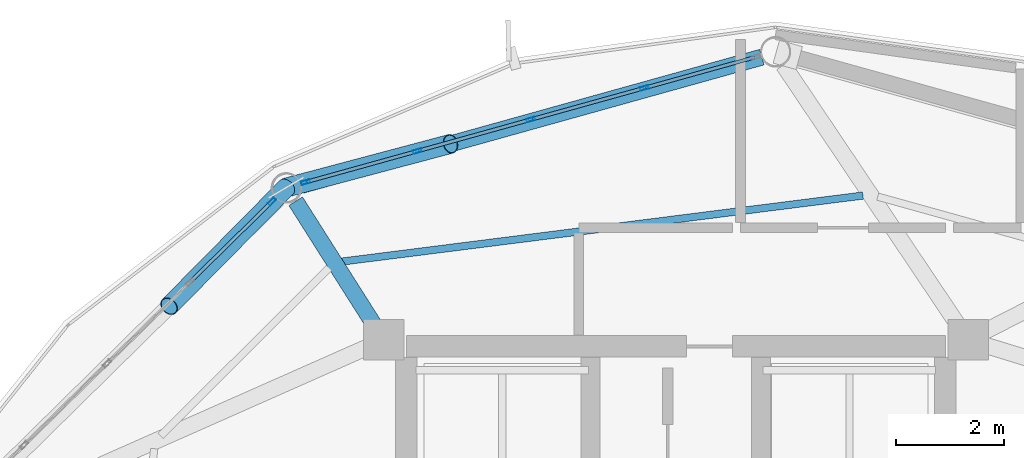
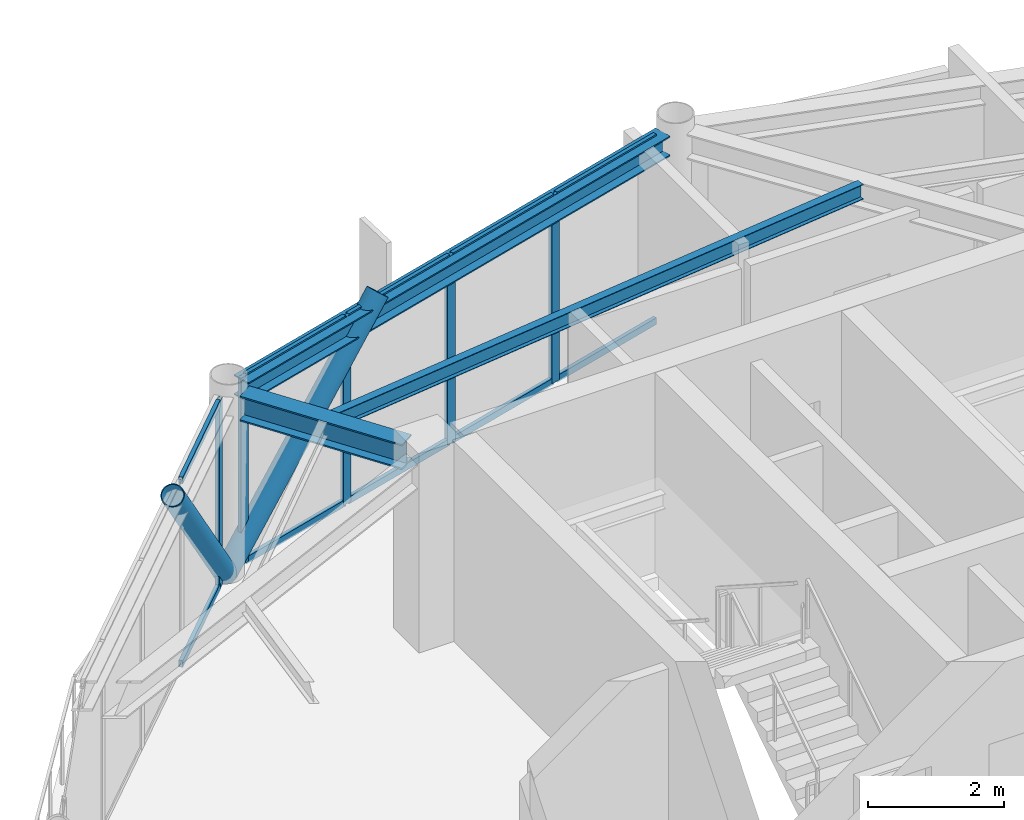
# One storey, part 17 of 25: 17 members, 3 beams, 2 elements without a shape of their own.
"""IFC4 building model written with IfcOpenShell, lengths in metres."""

from ifc_helpers import new_model, si_unit, direction, frame, origin, origin_2d, place, context, subcontext, project, spatial, hollow_rectangle, hollow_circle, i_section, extrude, material, layer, layer_set, material_profile, profile_set, type_object, element, aggregate, save


model = new_model("IFC4")

# Units and contexts
model_context = context("Model", 3, precision=1e-05, world=origin(), true_north=direction((0.0, 1.0)))
body_context = subcontext(model_context, "Body", "Model", "MODEL_VIEW")
ifc_project = project(units=[si_unit("LENGTHUNIT", "METRE"), si_unit("AREAUNIT", "SQUARE_METRE"), si_unit("VOLUMEUNIT", "CUBIC_METRE"), si_unit("PLANEANGLEUNIT", "RADIAN"), si_unit("MASSUNIT", "GRAM", prefix="KILO")], contexts=[model_context])

# Site, building, storey
site_placement = place(None, origin())
site = spatial("IfcSite", under=ifc_project, at=site_placement, CompositionType="ELEMENT")
building_placement = place(site_placement, origin())
building = spatial("IfcBuilding", under=site, at=building_placement, Name="Varnakorn Sky Granary", CompositionType="ELEMENT")
storey_placement = place(building_placement, frame((0.0, 0.0, 259.800048828125)))
storey = spatial("IfcBuildingStorey", under=building, at=storey_placement, Name="L66", CompositionType="ELEMENT", Elevation=259.800048828125)

# Beams
ifc_material_1 = material(Name="Steel S355JR", Category="steel")
ifc_material_profile_1 = material_profile(ifc_material_1, i_section(OverallWidth=0.300048828125, OverallDepth=0.449951171875, WebThickness=0.013916015625, FlangeThickness=0.02587890625, at=origin_2d()), Name="HE 450 B")
ifc_profile_set_1 = profile_set([ifc_material_profile_1], Name="Steel S355JR")
beam_type_1 = type_object("IfcBeamType", Name="BM-RAD-Z5", PredefinedType="BEAM", material=ifc_profile_set_1)
beam_1_placement = place(storey_placement, frame((-2.610107421875, 12.919921875, 3.135009765625), z_axis=(-0.535748615193, 0.844377534826, 0.0), x_axis=(-0.844377534826, -0.535748615193, 0.0)))
element("IfcBeam", 1, at=beam_1_placement, inside=storey, type_object=beam_type_1, Name="Radial Floor Girder RG05 L66", PredefinedType="BEAM", context=body_context, shape_type="SweptSolid", body=[
    extrude(i_section(OverallWidth=0.300048828125, OverallDepth=0.449951171875, WebThickness=0.013916015625, FlangeThickness=0.02587890625, at=origin_2d()), origin(), (0.0, 0.0, 1.0), 2.692626953125),
])
ifc_material_profile_2 = material_profile(ifc_material_1, i_section(OverallWidth=0.135009765625, OverallDepth=0.27001953125, WebThickness=0.006591796875, FlangeThickness=0.01025390625, at=origin_2d()), Name="IPE 270")
ifc_profile_set_2 = profile_set([ifc_material_profile_2], Name="Steel S355JR")
beam_type_2 = type_object("IfcBeamType", Name="BM-SEC-Z5", PredefinedType="BEAM", material=ifc_profile_set_2)
beam_2_placement = place(storey_placement, frame((6.470947265625, 15.298583984375, 3.224853515625), z_axis=(-0.992069039033, -0.125694159738, 0.0), x_axis=(0.125694159738, -0.992069039033, 0.0)))
element("IfcBeam", 2, at=beam_2_placement, inside=storey, type_object=beam_type_2, Name="Secondary Floor Chord Beam MSB04 L66", PredefinedType="BEAM", context=body_context, shape_type="SweptSolid", body=[
    extrude(i_section(OverallWidth=0.135009765625, OverallDepth=0.27001953125, WebThickness=0.006591796875, FlangeThickness=0.01025390625, at=origin_2d()), origin(), (0.0, 0.0, 1.0), 9.74072265625),
])
ifc_material_profile_3 = material_profile(ifc_material_1, i_section(OverallWidth=0.300048828125, OverallDepth=0.360107421875, WebThickness=0.012451171875, FlangeThickness=0.0224609375, at=origin_2d()), Name="HE 360 B")
ifc_profile_set_3 = profile_set([ifc_material_profile_3], Name="Steel S355JR")
beam_type_3 = type_object("IfcBeamType", Name="BM-SPD-Z5", PredefinedType="SPANDREL", material=ifc_profile_set_3)
beam_3_placement = place(storey_placement, frame((4.59521484375, 17.865966796875, 3.179931640625), z_axis=(-0.963310362828, -0.26838991201, 0.0), x_axis=(0.26838991201, -0.963310362828, 0.0)))
element("IfcBeam", 3, at=beam_3_placement, inside=storey, type_object=beam_type_3, Name="Perimeter Spandrel Ring Beam RB04 L66", PredefinedType="SPANDREL", context=body_context, shape_type="SweptSolid", body=[
    extrude(i_section(OverallWidth=0.300048828125, OverallDepth=0.360107421875, WebThickness=0.012451171875, FlangeThickness=0.0224609375, at=origin_2d()), origin(), (0.0, 0.0, 1.0), 8.85986328125),
])

# Curtain wall, members
ifc_material_2 = material(Name="Anodised Bronze Aluminium Alloy 6063-T6", Category="aluminium")
ifc_layer = layer(ifc_material_2, 0.159912109375, Name="Anodised Bronze Aluminium Alloy 6063-T6")
ifc_layer_set = layer_set([ifc_layer], Name="Anodised Bronze Aluminium Alloy 6063-T6")
curtain_wall_type = type_object("IfcCurtainWallType", Name="CW-OFF-1", PredefinedType="USERDEFINED", material=ifc_layer_set)
curtain_wall_1_placement = place(storey_placement, origin())
curtain_wall_1 = element("IfcCurtainWall", 4, at=curtain_wall_1_placement, inside=storey, type_object=curtain_wall_type, Name="Unitised Curtain Wall CW6 CW-L66-B04", ObjectType="CURTAIN WALL", PredefinedType="USERDEFINED")
ifc_material_profile_4 = material_profile(ifc_material_2, hollow_rectangle(XDim=0.06494140625, YDim=0.159912109375, WallThickness=0.00341796875, at=origin_2d()), Name="ALU MULL 65x160")
ifc_profile_set_4 = profile_set([ifc_material_profile_4], Name="Anodised Bronze Aluminium Alloy 6063-T6")
member_type_1 = type_object("IfcMemberType", Name="CW-OFF-1-MULL", PredefinedType="MULLION", material=ifc_profile_set_4)
member_1_placement = place(storey_placement, frame((-3.8701171875, 15.546142578125, 0.0), z_axis=(0.0, 0.0, 1.0), x_axis=(-0.267911054305, 0.963443650133, 0.0)))
member_1 = element("IfcMember", 5, at=member_1_placement, type_object=member_type_1, Name="CW6 mullion 1", PredefinedType="MULLION", context=body_context, shape_type="SweptSolid", body=[
    extrude(hollow_rectangle(XDim=0.06494140625, YDim=0.159912109375, WallThickness=0.00341796875, at=origin_2d()), origin(), (0.0, 0.0, 1.0), 3.35986328125),
])
member_2_placement = place(storey_placement, frame((-1.79541015625, 16.123046875, 0.0), z_axis=(0.0, 0.0, 1.0), x_axis=(-0.267911054305, 0.963443650133, 0.0)))
member_2 = element("IfcMember", 6, at=member_2_placement, type_object=member_type_1, Name="CW6 mullion 2", PredefinedType="MULLION", context=body_context, shape_type="SweptSolid", body=[
    extrude(hollow_rectangle(XDim=0.06494140625, YDim=0.159912109375, WallThickness=0.00341796875, at=origin_2d()), origin(), (0.0, 0.0, 1.0), 3.35986328125),
])
member_3_placement = place(storey_placement, frame((0.310791015625, 16.708740234375, 0.0), z_axis=(0.0, 0.0, 1.0), x_axis=(-0.267911054305, 0.963443650133, 0.0)))
member_3 = element("IfcMember", 7, at=member_3_placement, type_object=member_type_1, Name="CW6 mullion 3", PredefinedType="MULLION", context=body_context, shape_type="SweptSolid", body=[
    extrude(hollow_rectangle(XDim=0.06494140625, YDim=0.159912109375, WallThickness=0.00341796875, at=origin_2d()), origin(), (0.0, 0.0, 1.0), 3.35986328125),
])
member_4_placement = place(storey_placement, frame((2.416748046875, 17.29443359375, 0.0), z_axis=(0.0, 0.0, 1.0), x_axis=(-0.267911054305, 0.963443650133, 0.0)))
member_4 = element("IfcMember", 8, at=member_4_placement, type_object=member_type_1, Name="CW6 mullion 4", PredefinedType="MULLION", context=body_context, shape_type="SweptSolid", body=[
    extrude(hollow_rectangle(XDim=0.06494140625, YDim=0.159912109375, WallThickness=0.00341796875, at=origin_2d()), origin(), (0.0, 0.0, 1.0), 3.35986328125),
])

# Curtain wall, member
curtain_wall_2_placement = place(storey_placement, origin())
curtain_wall_2 = element("IfcCurtainWall", 9, at=curtain_wall_2_placement, inside=storey, type_object=curtain_wall_type, Name="Unitised Curtain Wall CW6 CW-L66-B05", ObjectType="CURTAIN WALL", PredefinedType="USERDEFINED")
member_5_placement = place(storey_placement, frame((-4.493896484375, 15.185791015625, 0.0), z_axis=(0.0, 0.0, 1.0), x_axis=(-0.700774417108, 0.713382938068, 0.0)))
member_5 = element("IfcMember", 10, at=member_5_placement, type_object=member_type_1, Name="CW6 mullion 5", PredefinedType="MULLION", context=body_context, shape_type="SweptSolid", body=[
    extrude(hollow_rectangle(XDim=0.06494140625, YDim=0.159912109375, WallThickness=0.00341796875, at=origin_2d()), origin(), (0.0, 0.0, 1.0), 3.35986328125),
])

# Member
ifc_material_profile_5 = material_profile(ifc_material_2, hollow_rectangle(XDim=0.06494140625, YDim=0.1201171875, WallThickness=0.00341796875, at=origin_2d()), Name="ALU TRAN 65x120")
ifc_profile_set_5 = profile_set([ifc_material_profile_5], Name="Anodised Bronze Aluminium Alloy 6063-T6")
member_type_2 = type_object("IfcMemberType", Name="CW-OFF-1-TRAN", PredefinedType="USERDEFINED", material=ifc_profile_set_5)
member_6_placement = place(storey_placement, frame((-3.8388671875, 15.554931640625, 0.032470703125), z_axis=(0.963471001773, 0.267812674722, 0.0), x_axis=(-0.267812674722, 0.963471001773, 0.0)))
member_6 = element("IfcMember", 11, at=member_6_placement, type_object=member_type_2, Name="CW6 transom 1.1", ObjectType="TRANSOM", PredefinedType="USERDEFINED", context=body_context, shape_type="SweptSolid", body=[
    extrude(hollow_rectangle(XDim=0.06494140625, YDim=0.1201171875, WallThickness=0.00341796875, at=origin_2d()), origin(), (0.0, 0.0, 1.0), 2.08837890625),
])

member_7_placement = place(storey_placement, frame((-3.8388671875, 15.554931640625, 3.327392578125), z_axis=(0.963471001773, 0.267812674722, 0.0), x_axis=(-0.267812674722, 0.963471001773, 0.0)))
member_7 = element("IfcMember", 12, at=member_7_placement, type_object=member_type_2, Name="CW6 transom 1.2", ObjectType="TRANSOM", PredefinedType="USERDEFINED", context=body_context, shape_type="SweptSolid", body=[
    extrude(hollow_rectangle(XDim=0.06494140625, YDim=0.1201171875, WallThickness=0.00341796875, at=origin_2d()), origin(), (0.0, 0.0, 1.0), 2.08837890625),
])

member_8_placement = place(storey_placement, frame((-1.763916015625, 16.1318359375, 0.032470703125), z_axis=(0.963458517622, 0.267857583095, 0.0), x_axis=(-0.267857583095, 0.963458517622, 0.0)))
member_8 = element("IfcMember", 13, at=member_8_placement, type_object=member_type_2, Name="CW6 transom 2.1", ObjectType="TRANSOM", PredefinedType="USERDEFINED", context=body_context, shape_type="SweptSolid", body=[
    extrude(hollow_rectangle(XDim=0.06494140625, YDim=0.1201171875, WallThickness=0.00341796875, at=origin_2d()), origin(), (0.0, 0.0, 1.0), 2.120849609375),
])

member_9_placement = place(storey_placement, frame((-1.763916015625, 16.1318359375, 3.327392578125), z_axis=(0.963458517622, 0.267857583095, 0.0), x_axis=(-0.267857583095, 0.963458517622, 0.0)))
member_9 = element("IfcMember", 14, at=member_9_placement, type_object=member_type_2, Name="CW6 transom 2.2", ObjectType="TRANSOM", PredefinedType="USERDEFINED", context=body_context, shape_type="SweptSolid", body=[
    extrude(hollow_rectangle(XDim=0.06494140625, YDim=0.1201171875, WallThickness=0.00341796875, at=origin_2d()), origin(), (0.0, 0.0, 1.0), 2.120849609375),
])

member_10_placement = place(storey_placement, frame((0.342041015625, 16.71728515625, 0.032470703125), z_axis=(0.963428806589, 0.267964427926, 0.0), x_axis=(-0.267964427926, 0.963428806589, 0.0)))
member_10 = element("IfcMember", 15, at=member_10_placement, type_object=member_type_2, Name="CW6 transom 3.1", ObjectType="TRANSOM", PredefinedType="USERDEFINED", context=body_context, shape_type="SweptSolid", body=[
    extrude(hollow_rectangle(XDim=0.06494140625, YDim=0.1201171875, WallThickness=0.00341796875, at=origin_2d()), origin(), (0.0, 0.0, 1.0), 2.12109375),
])

member_11_placement = place(storey_placement, frame((0.342041015625, 16.71728515625, 3.327392578125), z_axis=(0.963428806589, 0.267964427926, 0.0), x_axis=(-0.267964427926, 0.963428806589, 0.0)))
member_11 = element("IfcMember", 16, at=member_11_placement, type_object=member_type_2, Name="CW6 transom 3.2", ObjectType="TRANSOM", PredefinedType="USERDEFINED", context=body_context, shape_type="SweptSolid", body=[
    extrude(hollow_rectangle(XDim=0.06494140625, YDim=0.1201171875, WallThickness=0.00341796875, at=origin_2d()), origin(), (0.0, 0.0, 1.0), 2.12109375),
])

member_12_placement = place(storey_placement, frame((2.4482421875, 17.302978515625, 0.032470703125), z_axis=(0.96343244124, 0.267951359704, 0.0), x_axis=(-0.267951359704, 0.96343244124, 0.0)))
member_12 = element("IfcMember", 17, at=member_12_placement, type_object=member_type_2, Name="CW6 transom 4.1", ObjectType="TRANSOM", PredefinedType="USERDEFINED", context=body_context, shape_type="SweptSolid", body=[
    extrude(hollow_rectangle(XDim=0.06494140625, YDim=0.1201171875, WallThickness=0.00341796875, at=origin_2d()), origin(), (0.0, 0.0, 1.0), 2.08837890625),
])

member_13_placement = place(storey_placement, frame((2.4482421875, 17.302978515625, 3.327392578125), z_axis=(0.96343244124, 0.267951359704, 0.0), x_axis=(-0.267951359704, 0.96343244124, 0.0)))
member_13 = element("IfcMember", 18, at=member_13_placement, type_object=member_type_2, Name="CW6 transom 4.2", ObjectType="TRANSOM", PredefinedType="USERDEFINED", context=body_context, shape_type="SweptSolid", body=[
    extrude(hollow_rectangle(XDim=0.06494140625, YDim=0.1201171875, WallThickness=0.00341796875, at=origin_2d()), origin(), (0.0, 0.0, 1.0), 2.08837890625),
])

aggregate(curtain_wall_1, [member_1, member_2, member_3, member_4, member_6, member_7, member_8, member_9, member_10, member_11, member_12, member_13])

member_14_placement = place(storey_placement, frame((-5.98779296875, 13.718017578125, 0.032470703125), z_axis=(0.713355126045, 0.700802728409, 0.0), x_axis=(-0.700802728409, 0.713355126045, 0.0)))
member_14 = element("IfcMember", 19, at=member_14_placement, type_object=member_type_2, Name="CW6 transom 4.1", ObjectType="TRANSOM", PredefinedType="USERDEFINED", context=body_context, shape_type="SweptSolid", body=[
    extrude(hollow_rectangle(XDim=0.06494140625, YDim=0.1201171875, WallThickness=0.00341796875, at=origin_2d()), origin(), (0.0, 0.0, 1.0), 2.061767578125),
])

member_15_placement = place(storey_placement, frame((-5.98779296875, 13.718017578125, 3.327392578125), z_axis=(0.713355126045, 0.700802728409, 0.0), x_axis=(-0.700802728409, 0.713355126045, 0.0)))
member_15 = element("IfcMember", 20, at=member_15_placement, type_object=member_type_2, Name="CW6 transom 4.2", ObjectType="TRANSOM", PredefinedType="USERDEFINED", context=body_context, shape_type="SweptSolid", body=[
    extrude(hollow_rectangle(XDim=0.06494140625, YDim=0.1201171875, WallThickness=0.00341796875, at=origin_2d()), origin(), (0.0, 0.0, 1.0), 2.061767578125),
])

aggregate(curtain_wall_2, [member_5, member_14, member_15])

# Members
ifc_material_3 = material(Name="Steel S460M", Category="steel")
ifc_material_profile_6 = material_profile(ifc_material_3, hollow_circle(Radius=0.177734375, WallThickness=0.01416015625, at=origin_2d()), Name="CHS 355.6x14")
ifc_profile_set_6 = profile_set([ifc_material_profile_6], Name="Steel S460M")
member_type_3 = type_object("IfcMemberType", Name="MB-DIAG-T5", PredefinedType="BRACE", material=ifc_profile_set_6)
member_16_placement = place(storey_placement, frame((-4.228515625, 15.4462890625, 0.0), z_axis=(0.648059807708, 0.172341978011, 0.741833356117), x_axis=(-0.257002712525, 0.966410681726, 0.0)))
element("IfcMember", 21, at=member_16_placement, inside=storey, type_object=member_type_3, Name="Perimeter CHS Diagrid Brace DG04 L66", PredefinedType="BRACE", context=body_context, shape_type="SweptSolid", body=[
    extrude(hollow_circle(Radius=0.177734375, WallThickness=0.01416015625, at=origin_2d()), origin(), (0.0, 0.0, 1.0), 4.70458984375),
])
member_17_placement = place(storey_placement, frame((-4.228515625, 15.4462890625, 0.0), z_axis=(-0.465987041714, -0.472007546129, 0.74837487488), x_axis=(0.711630677266, -0.702553755362, 0.0)))
element("IfcMember", 22, at=member_17_placement, inside=storey, type_object=member_type_3, Name="Perimeter CHS Diagrid Brace DG05 L66", PredefinedType="BRACE", context=body_context, shape_type="SweptSolid", body=[
    extrude(hollow_circle(Radius=0.177734375, WallThickness=0.01416015625, at=origin_2d()), origin(), (0.0, 0.0, 1.0), 4.663330078125),
])

save(model, "model.ifc")
